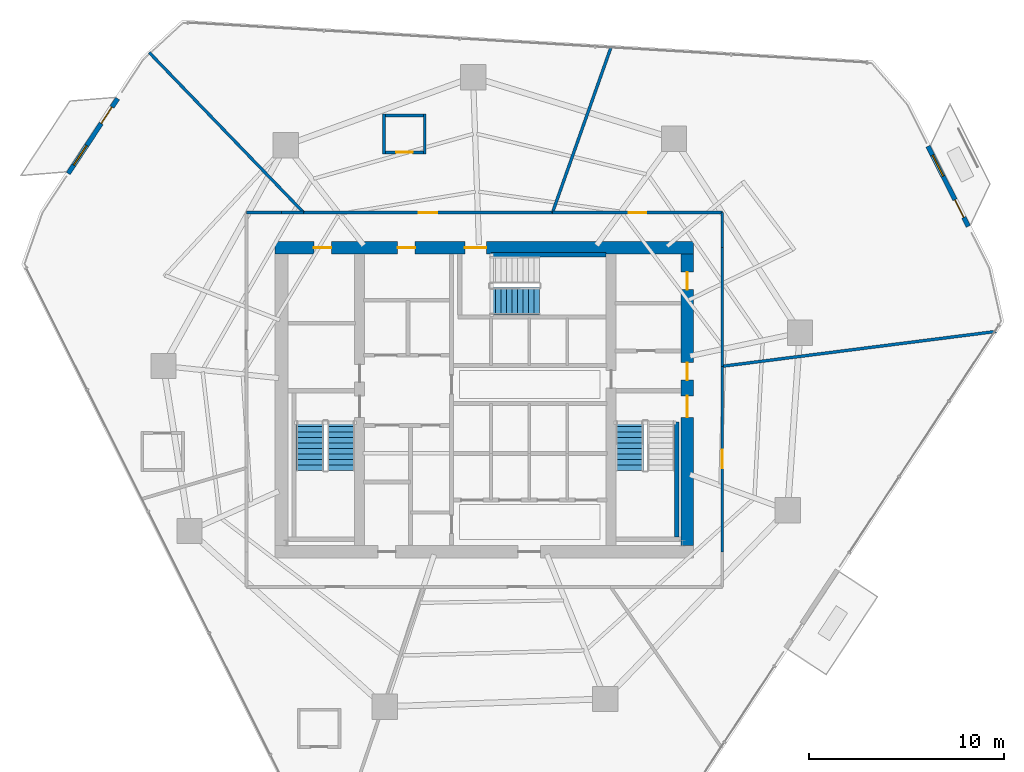
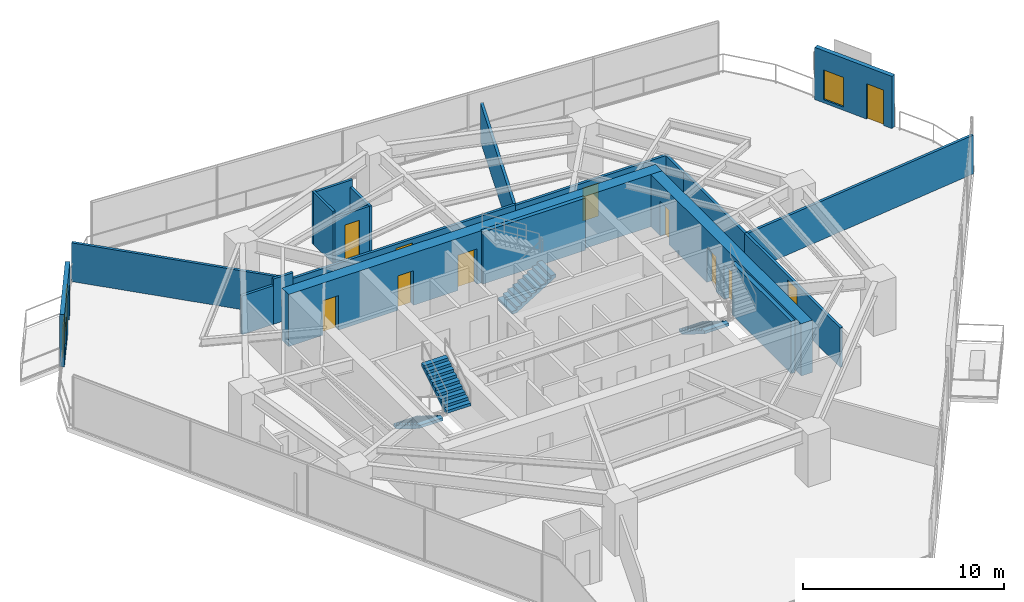
# One storey, part 25 of 28: 20 walls, 12 doors, 4 stair flights, 2 windows, 14 openings, 3 elements without a shape of their own.
"""IFC4 building model written with IfcOpenShell, lengths in metres."""

from ifc_helpers import new_model, si_unit, direction, frame, frame_2d, origin, place, context, subcontext, project, spatial, polyline, rectangle, outline, extrude, material, layer, layer_set, type_object, element, fill, aggregate, save


model = new_model("IFC4")

# Units and contexts
model_context = context("Model", 3, precision=1e-05, world=origin(), true_north=direction((0.0, 1.0)))
body_context = subcontext(model_context, "Body", "Model", "MODEL_VIEW")
ifc_project = project(units=[si_unit("LENGTHUNIT", "METRE"), si_unit("AREAUNIT", "SQUARE_METRE"), si_unit("VOLUMEUNIT", "CUBIC_METRE"), si_unit("PLANEANGLEUNIT", "RADIAN"), si_unit("MASSUNIT", "GRAM", prefix="KILO")], contexts=[model_context])

# Site, building, storey
site_placement = place(None, origin())
site = spatial("IfcSite", under=ifc_project, at=site_placement, CompositionType="ELEMENT")
building_placement = place(site_placement, origin())
building = spatial("IfcBuilding", under=site, at=building_placement, Name="Qarnah Convention Tower", CompositionType="ELEMENT")
storey_placement = place(building_placement, frame((0.0, 0.0, 54.60009765625)))
storey = spatial("IfcBuildingStorey", under=building, at=storey_placement, Name="L13", CompositionType="ELEMENT", Elevation=54.60009765625)

# Wall, openings, doors
ifc_material_1 = material(Name="Concrete C60/75", Category="concrete")
ifc_layer_1 = layer(ifc_material_1, 0.64990234375)
ifc_layer_set_1 = layer_set([ifc_layer_1], Name="Concrete C60/75")
wall_type_1 = type_object("IfcWallType", Name="WL-CORE-650", PredefinedType="SHEAR", material=ifc_layer_set_1)
wall_1_placement = place(storey_placement, frame((26.47509765625, 34.199951171875, 0.0), z_axis=(0.0, 0.0, 1.0), x_axis=(1.0, 0.0, 0.0)))
wall_1 = element("IfcWall", 1, at=wall_1_placement, inside=storey, type_object=wall_type_1, Name="L13 core north shear wall", PredefinedType="SHEAR", context=body_context, shape_type="SweptSolid", body=[
    extrude(rectangle(XDim=21.449951171875, YDim=0.64990234375, at=frame_2d((10.72509765625, 0.0))), origin(), (0.0, 0.0, 1.0), 3.169921875),
])
opening_1_placement = place(wall_1_placement, frame((9.72509765625, 0.0, 0.0)))
opening_1 = element("IfcOpeningElement", 2, at=opening_1_placement, cuts=wall_1, Name="Opening D-1303", PredefinedType="OPENING", context=body_context, shape_type="SweptSolid", body=[
    extrude(rectangle(XDim=1.10009765625, YDim=2.14990234375, at=frame_2d((0.550048828125, 1.074951171875))), frame((0.0, 0.3349609375, 0.0), z_axis=(0.0, -1.0, 0.0), x_axis=(1.0, 0.0, 0.0)), (0.0, 0.0, 1.0), 0.669921875),
])
opening_2_placement = place(wall_1_placement, frame((1.97509765625, 0.0, 0.0)))
opening_2 = element("IfcOpeningElement", 3, at=opening_2_placement, cuts=wall_1, Name="Opening D-1309", PredefinedType="OPENING", context=body_context, shape_type="SweptSolid", body=[
    extrude(rectangle(XDim=0.89990234375, YDim=2.10009765625, at=frame_2d((0.449951171875, 1.050048828125))), frame((0.0, 0.3349609375, 0.0), z_axis=(0.0, -1.0, 0.0), x_axis=(1.0, 0.0, 0.0)), (0.0, 0.0, 1.0), 0.669921875),
])
opening_3_placement = place(wall_1_placement, frame((6.27490234375, 0.0, 0.0)))
opening_3 = element("IfcOpeningElement", 4, at=opening_3_placement, cuts=wall_1, Name="Opening D-1310", PredefinedType="OPENING", context=body_context, shape_type="SweptSolid", body=[
    extrude(rectangle(XDim=0.89990234375, YDim=2.10009765625, at=frame_2d((0.449951171875, 1.050048828125))), frame((0.0, 0.3349609375, 0.0), z_axis=(0.0, -1.0, 0.0), x_axis=(1.0, 0.0, 0.0)), (0.0, 0.0, 1.0), 0.669921875),
])
ifc_material_2 = material(Name="Structural steel S355JR", Category="steel")
door_type_1 = type_object("IfcDoorType", Name="DT-RISER-900", OperationType="NOTDEFINED", PredefinedType="DOOR", material=ifc_material_2)
door_1_placement = place(opening_2_placement, origin())
door_1 = element("IfcDoor", 5, at=door_1_placement, inside=storey, type_object=door_type_1, Name="Door D-1309", OperationType="SINGLE_SWING_LEFT", OverallHeight=2.10009765625, OverallWidth=0.89990234375, PredefinedType="DOOR", context=body_context, shape_type="SweptSolid", body=[
    extrude(rectangle(XDim=0.89990234375, YDim=2.10009765625, at=frame_2d((0.449951171875, 1.050048828125))), frame((0.0, 0.02490234375, 0.0), z_axis=(0.0, -1.0, 0.0), x_axis=(1.0, 0.0, 0.0)), (0.0, 0.0, 1.0), 0.050048828125),
])
fill(opening_2, door_1)
door_2_placement = place(opening_3_placement, origin())
door_2 = element("IfcDoor", 6, at=door_2_placement, inside=storey, type_object=door_type_1, Name="Door D-1310", OperationType="SINGLE_SWING_RIGHT", OverallHeight=2.10009765625, OverallWidth=0.89990234375, PredefinedType="DOOR", context=body_context, shape_type="SweptSolid", body=[
    extrude(rectangle(XDim=0.89990234375, YDim=2.10009765625, at=frame_2d((0.449951171875, 1.050048828125))), frame((0.0, 0.02490234375, 0.0), z_axis=(0.0, -1.0, 0.0), x_axis=(1.0, 0.0, 0.0)), (0.0, 0.0, 1.0), 0.050048828125),
])
fill(opening_3, door_2)
door_type_2 = type_object("IfcDoorType", Name="DT-STAIR-1100", OperationType="NOTDEFINED", PredefinedType="DOOR", material=ifc_material_2)
door_3_placement = place(opening_1_placement, origin())
door_3 = element("IfcDoor", 7, at=door_3_placement, inside=storey, type_object=door_type_2, Name="Door D-1303", OperationType="SINGLE_SWING_LEFT", OverallHeight=2.14990234375, OverallWidth=1.10009765625, PredefinedType="DOOR", context=body_context, shape_type="SweptSolid", body=[
    extrude(rectangle(XDim=1.10009765625, YDim=2.14990234375, at=frame_2d((0.550048828125, 1.074951171875))), frame((0.0, 0.02490234375, 0.0), z_axis=(0.0, -1.0, 0.0), x_axis=(1.0, 0.0, 0.0)), (0.0, 0.0, 1.0), 0.050048828125),
])
fill(opening_1, door_3)

wall_2_placement = place(storey_placement, frame((47.60009765625, 18.925048828125, 0.0), z_axis=(0.0, 0.0, 1.0), x_axis=(0.0, 1.0, 0.0)))
wall_2 = element("IfcWall", 8, at=wall_2_placement, inside=storey, type_object=wall_type_1, Name="L13 core east shear wall", PredefinedType="SHEAR", context=body_context, shape_type="SweptSolid", body=[
    extrude(rectangle(XDim=14.949951171875, YDim=0.64990234375, at=frame_2d((7.47509765625, 0.0))), origin(), (0.0, 0.0, 1.0), 3.169921875),
])
opening_4_placement = place(wall_2_placement, frame((6.574951171875, 0.0, 0.0)))
opening_4 = element("IfcOpeningElement", 9, at=opening_4_placement, cuts=wall_2, Name="Opening D-1302", PredefinedType="OPENING", context=body_context, shape_type="SweptSolid", body=[
    extrude(rectangle(XDim=1.10009765625, YDim=2.14990234375, at=frame_2d((0.550048828125, 1.074951171875))), frame((0.0, 0.3349609375, 0.0), z_axis=(0.0, -1.0, 0.0), x_axis=(1.0, 0.0, 0.0)), (0.0, 0.0, 1.0), 0.669921875),
])
opening_5_placement = place(wall_2_placement, frame((8.47509765625, 0.0, 0.0)))
opening_5 = element("IfcOpeningElement", 10, at=opening_5_placement, cuts=wall_2, Name="Opening D-1306", PredefinedType="OPENING", context=body_context, shape_type="SweptSolid", body=[
    extrude(rectangle(XDim=0.89990234375, YDim=2.10009765625, at=frame_2d((0.449951171875, 1.050048828125))), frame((0.0, 0.3349609375, 0.0), z_axis=(0.0, -1.0, 0.0), x_axis=(1.0, 0.0, 0.0)), (0.0, 0.0, 1.0), 0.669921875),
])
opening_6_placement = place(wall_2_placement, frame((13.125, 0.0, 0.0)))
opening_6 = element("IfcOpeningElement", 11, at=opening_6_placement, cuts=wall_2, Name="Opening D-1312", PredefinedType="OPENING", context=body_context, shape_type="SweptSolid", body=[
    extrude(rectangle(XDim=0.89990234375, YDim=2.10009765625, at=frame_2d((0.449951171875, 1.050048828125))), frame((0.0, 0.3349609375, 0.0), z_axis=(0.0, -1.0, 0.0), x_axis=(1.0, 0.0, 0.0)), (0.0, 0.0, 1.0), 0.669921875),
])
door_4_placement = place(opening_5_placement, origin())
door_4 = element("IfcDoor", 12, at=door_4_placement, inside=storey, type_object=door_type_1, Name="Door D-1306", OperationType="SINGLE_SWING_RIGHT", OverallHeight=2.10009765625, OverallWidth=0.89990234375, PredefinedType="DOOR", context=body_context, shape_type="SweptSolid", body=[
    extrude(rectangle(XDim=0.89990234375, YDim=2.10009765625, at=frame_2d((0.449951171875, 1.050048828125))), frame((0.0, 0.02490234375, 0.0), z_axis=(0.0, -1.0, 0.0), x_axis=(1.0, 0.0, 0.0)), (0.0, 0.0, 1.0), 0.050048828125),
])
fill(opening_5, door_4)
door_5_placement = place(opening_6_placement, origin())
door_5 = element("IfcDoor", 13, at=door_5_placement, inside=storey, type_object=door_type_1, Name="Door D-1312", OperationType="SINGLE_SWING_RIGHT", OverallHeight=2.10009765625, OverallWidth=0.89990234375, PredefinedType="DOOR", context=body_context, shape_type="SweptSolid", body=[
    extrude(rectangle(XDim=0.89990234375, YDim=2.10009765625, at=frame_2d((0.449951171875, 1.050048828125))), frame((0.0, 0.02490234375, 0.0), z_axis=(0.0, -1.0, 0.0), x_axis=(1.0, 0.0, 0.0)), (0.0, 0.0, 1.0), 0.050048828125),
])
fill(opening_6, door_5)
door_6_placement = place(opening_4_placement, origin())
door_6 = element("IfcDoor", 14, at=door_6_placement, inside=storey, type_object=door_type_2, Name="Door D-1302", OperationType="SINGLE_SWING_RIGHT", OverallHeight=2.14990234375, OverallWidth=1.10009765625, PredefinedType="DOOR", context=body_context, shape_type="SweptSolid", body=[
    extrude(rectangle(XDim=1.10009765625, YDim=2.14990234375, at=frame_2d((0.550048828125, 1.074951171875))), frame((0.0, 0.02490234375, 0.0), z_axis=(0.0, -1.0, 0.0), x_axis=(1.0, 0.0, 0.0)), (0.0, 0.0, 1.0), 0.050048828125),
])
fill(opening_4, door_6)

# Walls
ifc_layer_2 = layer(ifc_material_1, 0.219970703125)
ifc_layer_set_2 = layer_set([ifc_layer_2], Name="Concrete C60/75")
wall_type_2 = type_object("IfcWallType", Name="WL-CORE-STAIR-220", PredefinedType="SHEAR", material=ifc_layer_set_2)
for number, where, z_axis, x_axis, name in (
    (15, (47.06005859375, 19.35009765625, 0.0), (0.0, 0.0, 1.0), (0.0, 1.0, 0.0), "L13 stair shaft shear wall SW-L13-ST2E"),
    (16, (37.550048828125, 33.840087890625, 0.0), (0.0, 0.0, 1.0), (1.0, 0.0, 0.0), "L13 stair shaft shear wall SW-L13-ST3N"),
):
    element("IfcWall", number, at=place(storey_placement, frame(where, z_axis=z_axis, x_axis=x_axis)), inside=storey, type_object=wall_type_2, Name=name, PredefinedType="SHEAR", context=body_context, shape_type="SweptSolid", body=[
        extrude(rectangle(XDim=5.89990234375, YDim=0.219970703125, at=frame_2d((2.949951171875, 0.0))), origin(), (0.0, 0.0, 1.0), 3.169921875),
    ])

# Wall, openings, door, window
ifc_material_3 = material(Name="Precast concrete C45/55", Category="concrete")
ifc_layer_3 = layer(ifc_material_3, 0.239990234375)
ifc_layer_set_3 = layer_set([ifc_layer_3], Name="Precast concrete C45/55")
wall_type_3 = type_object("IfcWallType", Name="WL-EXT-BAL-240", PredefinedType="SOLIDWALL", material=ifc_layer_set_3)
wall_3_placement = place(storey_placement, frame((59.952880859375, 39.403076171875, 0.0), z_axis=(0.0, 0.0, 1.0), x_axis=(0.448465528008, -0.89380012877, 0.0)))
wall_3 = element("IfcWall", 17, at=wall_3_placement, inside=storey, type_object=wall_type_3, Name="L13 loggia threshold wall BAL-L13-C1", PredefinedType="SOLIDWALL", context=body_context, shape_type="SweptSolid", body=[
    extrude(rectangle(XDim=4.6005859375, YDim=0.239990234375, at=frame_2d((2.30029296875, 0.0))), origin(), (0.0, 0.0, 1.0), 3.169921875),
])
opening_7_placement = place(wall_3_placement, frame((3.080078125, 0.0, 0.0)))
opening_7 = element("IfcOpeningElement", 18, at=opening_7_placement, cuts=wall_3, Name="Opening BD-1301", PredefinedType="OPENING", context=body_context, shape_type="SweptSolid", body=[
    extrude(rectangle(XDim=1.0, YDim=2.14990234375, at=frame_2d((0.5, 1.074951171875))), frame((0.0, 0.1298828125, 0.0), z_axis=(0.0, -1.0, 0.0), x_axis=(1.0, 0.0, 0.0)), (0.0, 0.0, 1.0), 0.260009765625),
])
opening_8_placement = place(wall_3_placement, frame((0.52001953125, 0.0, 0.199951171875)))
opening_8 = element("IfcOpeningElement", 19, at=opening_8_placement, cuts=wall_3, Name="Opening WN5", PredefinedType="OPENING", context=body_context, shape_type="SweptSolid", body=[
    extrude(rectangle(XDim=1.199951171875, YDim=1.800048828125, at=frame_2d((0.60009765625, 0.89990234375))), frame((0.0, 0.1298828125, 0.0), z_axis=(0.0, -1.0, 0.0), x_axis=(1.0, 0.0, 0.0)), (0.0, 0.0, 1.0), 0.260009765625),
])
ifc_material_4 = material(Name="Black anodised aluminium", Category="aluminium")
door_type_3 = type_object("IfcDoorType", Name="DT-BAL-1000", OperationType="NOTDEFINED", PredefinedType="DOOR", material=ifc_material_4)
door_7_placement = place(opening_7_placement, origin())
door_7 = element("IfcDoor", 20, at=door_7_placement, inside=storey, type_object=door_type_3, Name="L13 balcony terrace door BAL-L13-C1", OperationType="SINGLE_SWING_LEFT", OverallHeight=2.14990234375, OverallWidth=1.0, PredefinedType="DOOR", context=body_context, shape_type="SweptSolid", body=[
    extrude(rectangle(XDim=1.0, YDim=2.14990234375, at=frame_2d((0.5, 1.074951171875))), frame((0.0, 0.02490234375, 0.0), z_axis=(0.0, -1.0, 0.0), x_axis=(1.0, 0.0, 0.0)), (0.0, 0.0, 1.0), 0.050048828125),
])
fill(opening_7, door_7)
ifc_material_5 = material(Name="Tempered Low-E dark glass", Category="glass")
window_type = type_object("IfcWindowType", Name="WT-BAL-1200X1800", PartitioningType="SINGLE_PANEL", PredefinedType="WINDOW", material=ifc_material_5)
window_1_placement = place(opening_8_placement, origin())
window_1 = element("IfcWindow", 21, at=window_1_placement, inside=storey, type_object=window_type, Name="Window BW-BAL-L13-C1", OverallHeight=1.800048828125, OverallWidth=1.199951171875, PartitioningType="SINGLE_PANEL", PredefinedType="WINDOW", context=body_context, shape_type="SweptSolid", body=[
    extrude(rectangle(XDim=1.199951171875, YDim=1.800048828125, at=frame_2d((0.60009765625, 0.89990234375))), frame((0.0, 0.030029296875, 0.0), z_axis=(0.0, -1.0, 0.0), x_axis=(1.0, 0.0, 0.0)), (0.0, 0.0, 1.0), 0.06005859375),
])
fill(opening_8, window_1)

wall_4_placement = place(storey_placement, frame((15.85888671875, 38.0009765625, 0.0), z_axis=(0.0, 0.0, 1.0), x_axis=(0.549976123516, 0.83518037786, 0.0)))
wall_4 = element("IfcWall", 22, at=wall_4_placement, inside=storey, type_object=wall_type_3, Name="L13 loggia threshold wall BAL-L13-C2", PredefinedType="SOLIDWALL", context=body_context, shape_type="SweptSolid", body=[
    extrude(rectangle(XDim=4.600341796875, YDim=0.239990234375, at=frame_2d((2.30029296875, 0.0))), origin(), (0.0, 0.0, 1.0), 3.169921875),
])
opening_9_placement = place(wall_4_placement, frame((3.080078125, 0.0, 0.0)))
opening_9 = element("IfcOpeningElement", 23, at=opening_9_placement, cuts=wall_4, Name="Opening BD-1302", PredefinedType="OPENING", context=body_context, shape_type="SweptSolid", body=[
    extrude(rectangle(XDim=1.0, YDim=2.14990234375, at=frame_2d((0.5, 1.074951171875))), frame((0.0, 0.1298828125, 0.0), z_axis=(0.0, -1.0, 0.0), x_axis=(1.0, 0.0, 0.0)), (0.0, 0.0, 1.0), 0.260009765625),
])
opening_10_placement = place(wall_4_placement, frame((0.52001953125, 0.0, 0.199951171875)))
opening_10 = element("IfcOpeningElement", 24, at=opening_10_placement, cuts=wall_4, Name="Opening WN5", PredefinedType="OPENING", context=body_context, shape_type="SweptSolid", body=[
    extrude(rectangle(XDim=1.199951171875, YDim=1.800048828125, at=frame_2d((0.60009765625, 0.89990234375))), frame((0.0, 0.1298828125, 0.0), z_axis=(0.0, -1.0, 0.0), x_axis=(1.0, 0.0, 0.0)), (0.0, 0.0, 1.0), 0.260009765625),
])
door_8_placement = place(opening_9_placement, origin())
door_8 = element("IfcDoor", 25, at=door_8_placement, inside=storey, type_object=door_type_3, Name="L13 balcony terrace door BAL-L13-C2", OperationType="SINGLE_SWING_RIGHT", OverallHeight=2.14990234375, OverallWidth=1.0, PredefinedType="DOOR", context=body_context, shape_type="SweptSolid", body=[
    extrude(rectangle(XDim=1.0, YDim=2.14990234375, at=frame_2d((0.5, 1.074951171875))), frame((0.0, 0.02490234375, 0.0), z_axis=(0.0, -1.0, 0.0), x_axis=(1.0, 0.0, 0.0)), (0.0, 0.0, 1.0), 0.050048828125),
])
fill(opening_9, door_8)
window_2_placement = place(opening_10_placement, origin())
window_2 = element("IfcWindow", 26, at=window_2_placement, inside=storey, type_object=window_type, Name="Window BW-BAL-L13-C2", OverallHeight=1.800048828125, OverallWidth=1.199951171875, PartitioningType="SINGLE_PANEL", PredefinedType="WINDOW", context=body_context, shape_type="SweptSolid", body=[
    extrude(rectangle(XDim=1.199951171875, YDim=1.800048828125, at=frame_2d((0.60009765625, 0.89990234375))), frame((0.0, 0.030029296875, 0.0), z_axis=(0.0, -1.0, 0.0), x_axis=(1.0, 0.0, 0.0)), (0.0, 0.0, 1.0), 0.06005859375),
])
fill(opening_10, window_2)

# Wall
ifc_material_6 = material(Name="Gypsum partition board")
ifc_layer_4 = layer(ifc_material_6, 0.14990234375)
ifc_layer_set_4 = layer_set([ifc_layer_4], Name="Gypsum partition board")
wall_type_4 = type_object("IfcWallType", Name="WL-SUITE-150", PredefinedType="PARTITIONING", material=ifc_layer_set_4)
wall_5_placement = place(storey_placement, frame((43.705078125, 44.5048828125, 0.0), z_axis=(0.0, 0.0, 1.0), x_axis=(-0.333732929856, -0.942667667595, 0.0)))
element("IfcWall", 27, at=wall_5_placement, inside=storey, type_object=wall_type_4, Name="L13 interior wall IW-L13-R-13", PredefinedType="PARTITIONING", context=body_context, shape_type="SweptSolid", body=[
    extrude(rectangle(XDim=9.022216796875, YDim=0.14990234375, at=frame_2d((4.51123046875, 0.0))), origin(), (0.0, 0.0, 1.0), 2.35498046875),
])

# Wall, opening, door
wall_6_placement = place(storey_placement, frame((40.694091796875, 36.0, 0.0), z_axis=(0.0, 0.0, 1.0), x_axis=(1.0, 0.0, 0.0)))
wall_6 = element("IfcWall", 28, at=wall_6_placement, inside=storey, type_object=wall_type_4, Name="L13 interior wall IW-L13-R-14", PredefinedType="PARTITIONING", context=body_context, shape_type="SweptSolid", body=[
    extrude(rectangle(XDim=8.705810546875, YDim=0.14990234375, at=frame_2d((4.35302734375, 0.0))), origin(), (0.0, 0.0, 1.0), 2.35498046875),
])
opening_11_placement = place(wall_6_placement, frame((3.903076171875, 0.0, 0.0)))
opening_11 = element("IfcOpeningElement", 29, at=opening_11_placement, cuts=wall_6, Name="Opening D-1316", PredefinedType="OPENING", context=body_context, shape_type="SweptSolid", body=[
    extrude(rectangle(XDim=0.89990234375, YDim=2.0, at=frame_2d((0.449951171875, 1.0))), frame((0.0, 0.0849609375, 0.0), z_axis=(0.0, -1.0, 0.0), x_axis=(1.0, 0.0, 0.0)), (0.0, 0.0, 1.0), 0.169921875),
])
door_type_4 = type_object("IfcDoorType", Name="DT-PLANT-900", OperationType="NOTDEFINED", PredefinedType="DOOR", material=ifc_material_2)
door_9_placement = place(opening_11_placement, origin())
door_9 = element("IfcDoor", 30, at=door_9_placement, inside=storey, type_object=door_type_4, Name="Door D-1316", OperationType="SINGLE_SWING_RIGHT", OverallHeight=2.0, OverallWidth=0.89990234375, PredefinedType="DOOR", context=body_context, shape_type="SweptSolid", body=[
    extrude(rectangle(XDim=0.89990234375, YDim=2.0, at=frame_2d((0.449951171875, 1.0))), frame((0.0, 0.02490234375, 0.0), z_axis=(0.0, -1.0, 0.0), x_axis=(1.0, 0.0, 0.0)), (0.0, 0.0, 1.0), 0.050048828125),
])
fill(opening_11, door_9)

# Walls
wall_7_placement = place(storey_placement, frame((49.39990234375, 36.0, 0.0), z_axis=(0.0, 0.0, 1.0), x_axis=(0.0, -1.0, 0.0)))
element("IfcWall", 31, at=wall_7_placement, inside=storey, type_object=wall_type_4, Name="L13 interior wall IW-L13-R-15", PredefinedType="PARTITIONING", context=body_context, shape_type="SweptSolid", body=[
    extrude(rectangle(XDim=1.800048828125, YDim=0.14990234375, at=frame_2d((0.89990234375, 0.0))), origin(), (0.0, 0.0, 1.0), 2.35498046875),
])
wall_8_placement = place(storey_placement, frame((49.39990234375, 34.199951171875, 0.0), z_axis=(0.0, 0.0, 1.0), x_axis=(0.0, -1.0, 0.0)))
element("IfcWall", 32, at=wall_8_placement, inside=storey, type_object=wall_type_4, Name="L13 interior wall IW-L13-R-16", PredefinedType="PARTITIONING", context=body_context, shape_type="SweptSolid", body=[
    extrude(rectangle(XDim=6.0849609375, YDim=0.14990234375, at=frame_2d((3.04248046875, 0.0))), origin(), (0.0, 0.0, 1.0), 2.39501953125),
])
wall_9_placement = place(storey_placement, frame((49.39990234375, 28.114990234375, 0.0), z_axis=(0.0, 0.0, 1.0), x_axis=(0.992004152997, 0.126205231415, 0.0)))
element("IfcWall", 33, at=wall_9_placement, inside=storey, type_object=wall_type_4, Name="L13 interior wall IW-L13-R-17", PredefinedType="PARTITIONING", context=body_context, shape_type="SweptSolid", body=[
    extrude(rectangle(XDim=14.160400390625, YDim=0.14990234375, at=frame_2d((7.080078125, 0.0))), origin(), (0.0, 0.0, 1.0), 2.35498046875),
])
wall_10_placement = place(storey_placement, frame((20.011962890625, 44.20703125, 0.0), z_axis=(0.0, 0.0, 1.0), x_axis=(0.694275025098, -0.719709795352, 0.0)))
element("IfcWall", 34, at=wall_10_placement, inside=storey, type_object=wall_type_4, Name="L13 interior wall IW-L13-R-18", PredefinedType="PARTITIONING", context=body_context, shape_type="SweptSolid", body=[
    extrude(rectangle(XDim=11.4033203125, YDim=0.14990234375, at=frame_2d((5.70166015625, 0.0))), origin(), (0.0, 0.0, 1.0), 2.35498046875),
])

# Wall, opening, door
wall_11_placement = place(storey_placement, frame((27.928955078125, 36.0, 0.0), z_axis=(0.0, 0.0, 1.0), x_axis=(1.0, 0.0, 0.0)))
wall_11 = element("IfcWall", 35, at=wall_11_placement, inside=storey, type_object=wall_type_4, Name="L13 interior wall IW-L13-R-19", PredefinedType="PARTITIONING", context=body_context, shape_type="SweptSolid", body=[
    extrude(rectangle(XDim=12.76513671875, YDim=0.14990234375, at=frame_2d((6.382568359375, 0.0))), origin(), (0.0, 0.0, 1.0), 2.39501953125),
])
opening_12_placement = place(wall_11_placement, frame((5.907958984375, 0.0, 0.0)))
opening_12 = element("IfcOpeningElement", 36, at=opening_12_placement, cuts=wall_11, Name="Opening D-1317", PredefinedType="OPENING", context=body_context, shape_type="SweptSolid", body=[
    extrude(rectangle(XDim=0.949951171875, YDim=2.14990234375, at=frame_2d((0.47509765625, 1.074951171875))), frame((0.0, 0.0849609375, 0.0), z_axis=(0.0, -1.0, 0.0), x_axis=(1.0, 0.0, 0.0)), (0.0, 0.0, 1.0), 0.169921875),
])
ifc_material_7 = material(Name="Oak timber veneer", Category="wood")
door_type_5 = type_object("IfcDoorType", Name="DT-HOTEL-950", OperationType="NOTDEFINED", PredefinedType="DOOR", material=ifc_material_7)
door_10_placement = place(opening_12_placement, origin())
door_10 = element("IfcDoor", 37, at=door_10_placement, inside=storey, type_object=door_type_5, Name="Door D-1317", OperationType="SINGLE_SWING_LEFT", OverallHeight=2.14990234375, OverallWidth=0.949951171875, PredefinedType="DOOR", context=body_context, shape_type="SweptSolid", body=[
    extrude(rectangle(XDim=0.949951171875, YDim=2.14990234375, at=frame_2d((0.47509765625, 1.074951171875))), frame((0.0, 0.02490234375, 0.0), z_axis=(0.0, -1.0, 0.0), x_axis=(1.0, 0.0, 0.0)), (0.0, 0.0, 1.0), 0.050048828125),
])
fill(opening_12, door_10)

# Walls
wall_12_placement = place(storey_placement, frame((25.0, 36.0, 0.0), z_axis=(0.0, 0.0, 1.0), x_axis=(1.0, 0.0, 0.0)))
element("IfcWall", 38, at=wall_12_placement, inside=storey, type_object=wall_type_4, Name="L13 interior wall IW-L13-R-22", PredefinedType="PARTITIONING", context=body_context, shape_type="SweptSolid", body=[
    extrude(rectangle(XDim=1.800048828125, YDim=0.14990234375, at=frame_2d((0.89990234375, 0.0))), origin(), (0.0, 0.0, 1.0), 2.35498046875),
])
wall_13_placement = place(storey_placement, frame((26.800048828125, 36.0, 0.0), z_axis=(0.0, 0.0, 1.0), x_axis=(1.0, 0.0, 0.0)))
element("IfcWall", 39, at=wall_13_placement, inside=storey, type_object=wall_type_4, Name="L13 interior wall IW-L13-R-23", PredefinedType="PARTITIONING", context=body_context, shape_type="SweptSolid", body=[
    extrude(rectangle(XDim=1.12890625, YDim=0.14990234375, at=frame_2d((0.564453125, 0.0))), origin(), (0.0, 0.0, 1.0), 2.746826171875),
])

# Wall, opening, door
wall_14_placement = place(storey_placement, frame((49.39990234375, 28.114990234375, 0.0), z_axis=(0.0, 0.0, 1.0), x_axis=(0.0, -1.0, 0.0)))
wall_14 = element("IfcWall", 40, at=wall_14_placement, inside=storey, type_object=wall_type_4, Name="L13 interior wall IW-L13-R-30", PredefinedType="PARTITIONING", context=body_context, shape_type="SweptSolid", body=[
    extrude(rectangle(XDim=9.514892578125, YDim=0.14990234375, at=frame_2d((4.75732421875, 0.0))), origin(), (0.0, 0.0, 1.0), 2.39501953125),
])
opening_13_placement = place(wall_14_placement, frame((4.281982421875, 0.0, 0.0)))
opening_13 = element("IfcOpeningElement", 41, at=opening_13_placement, cuts=wall_14, Name="Opening D-1324", PredefinedType="OPENING", context=body_context, shape_type="SweptSolid", body=[
    extrude(rectangle(XDim=0.949951171875, YDim=2.14990234375, at=frame_2d((0.47509765625, 1.074951171875))), frame((0.0, 0.0849609375, 0.0), z_axis=(0.0, -1.0, 0.0), x_axis=(1.0, 0.0, 0.0)), (0.0, 0.0, 1.0), 0.169921875),
])
door_11_placement = place(opening_13_placement, origin())
door_11 = element("IfcDoor", 42, at=door_11_placement, inside=storey, type_object=door_type_5, Name="Door D-1324", OperationType="SINGLE_SWING_RIGHT", OverallHeight=2.14990234375, OverallWidth=0.949951171875, PredefinedType="DOOR", context=body_context, shape_type="SweptSolid", body=[
    extrude(rectangle(XDim=0.949951171875, YDim=2.14990234375, at=frame_2d((0.47509765625, 1.074951171875))), frame((0.0, 0.02490234375, 0.0), z_axis=(0.0, -1.0, 0.0), x_axis=(1.0, 0.0, 0.0)), (0.0, 0.0, 1.0), 0.050048828125),
])
fill(opening_13, door_11)

ifc_layer_5 = layer(ifc_material_6, 0.139892578125)
ifc_layer_set_5 = layer_set([ifc_layer_5], Name="Gypsum partition board")
wall_type_5 = type_object("IfcWallType", Name="WL-WET-140", PredefinedType="PARTITIONING", material=ifc_layer_set_5)
wall_15_placement = place(storey_placement, frame((31.97900390625, 39.080078125, 0.0), z_axis=(0.0, 0.0, 1.0), x_axis=(1.0, 0.0, 0.0)))
wall_15 = element("IfcWall", 43, at=wall_15_placement, inside=storey, type_object=wall_type_5, Name="L13 interior wall IW-L13-ENS01-1", PredefinedType="PARTITIONING", context=body_context, shape_type="SweptSolid", body=[
    extrude(rectangle(XDim=2.239990234375, YDim=0.139892578125, at=frame_2d((1.1201171875, 0.0))), origin(), (0.0, 0.0, 1.0), 2.746826171875),
])
opening_14_placement = place(wall_15_placement, frame((0.695068359375, 0.0, 0.0)))
opening_14 = element("IfcOpeningElement", 44, at=opening_14_placement, cuts=wall_15, Name="Opening D-1318", PredefinedType="OPENING", context=body_context, shape_type="SweptSolid", body=[
    extrude(rectangle(XDim=0.85009765625, YDim=2.10009765625, at=frame_2d((0.425048828125, 1.050048828125))), frame((0.0, 0.079833984375, 0.0), z_axis=(0.0, -1.0, 0.0), x_axis=(1.0, 0.0, 0.0)), (0.0, 0.0, 1.0), 0.159912109375),
])
door_type_6 = type_object("IfcDoorType", Name="DT-BATH-850", OperationType="NOTDEFINED", PredefinedType="DOOR", material=ifc_material_7)
door_12_placement = place(opening_14_placement, origin())
door_12 = element("IfcDoor", 45, at=door_12_placement, inside=storey, type_object=door_type_6, Name="Door D-1318", OperationType="SINGLE_SWING_RIGHT", OverallHeight=2.10009765625, OverallWidth=0.85009765625, PredefinedType="DOOR", context=body_context, shape_type="SweptSolid", body=[
    extrude(rectangle(XDim=0.85009765625, YDim=2.10009765625, at=frame_2d((0.425048828125, 1.050048828125))), frame((0.0, 0.02490234375, 0.0), z_axis=(0.0, -1.0, 0.0), x_axis=(1.0, 0.0, 0.0)), (0.0, 0.0, 1.0), 0.050048828125),
])
fill(opening_14, door_12)

# Walls
wall_16_placement = place(storey_placement, frame((34.14892578125, 39.010009765625, 0.0), z_axis=(0.0, 0.0, 1.0), x_axis=(0.0, 1.0, 0.0)))
element("IfcWall", 46, at=wall_16_placement, inside=storey, type_object=wall_type_5, Name="L13 interior wall IW-L13-ENS01-2", PredefinedType="PARTITIONING", context=body_context, shape_type="SweptSolid", body=[
    extrude(rectangle(XDim=2.0400390625, YDim=0.139892578125, at=frame_2d((1.02001953125, 0.0))), origin(), (0.0, 0.0, 1.0), 2.746826171875),
])
wall_17_placement = place(storey_placement, frame((34.218994140625, 40.97998046875, 0.0), z_axis=(0.0, 0.0, 1.0), x_axis=(-1.0, 0.0, 0.0)))
element("IfcWall", 47, at=wall_17_placement, inside=storey, type_object=wall_type_5, Name="L13 interior wall IW-L13-ENS01-3", PredefinedType="PARTITIONING", context=body_context, shape_type="SweptSolid", body=[
    extrude(rectangle(XDim=2.239990234375, YDim=0.139892578125, at=frame_2d((1.1201171875, 0.0))), origin(), (0.0, 0.0, 1.0), 3.169921875),
])
wall_18_placement = place(storey_placement, frame((32.049072265625, 41.050048828125, 0.0), z_axis=(0.0, 0.0, 1.0), x_axis=(0.0, -1.0, 0.0)))
element("IfcWall", 48, at=wall_18_placement, inside=storey, type_object=wall_type_5, Name="L13 interior wall IW-L13-ENS01-4", PredefinedType="PARTITIONING", context=body_context, shape_type="SweptSolid", body=[
    extrude(rectangle(XDim=2.0400390625, YDim=0.139892578125, at=frame_2d((1.02001953125, 0.0))), origin(), (0.0, 0.0, 1.0), 3.169921875),
])

# Stair, stair flights
ifc_material_8 = material(Name="Concrete C50/60", Category="concrete")
stair_type = type_object("IfcStairType", Name="STR-HTL", PredefinedType="HALF_TURN_STAIR", material=ifc_material_8)
stair_1_placement = place(storey_placement, origin())
stair_1 = element("IfcStair", 49, at=stair_1_placement, inside=storey, type_object=stair_type, Name="L13 Core exit stair ST-1", PredefinedType="HALF_TURN_STAIR")
stair_flight_type = type_object("IfcStairFlightType", Name="FLT-HTL", PredefinedType="STRAIGHT", material=ifc_material_8)
stair_flight_1_placement = place(storey_placement, frame((28.25, 25.300048828125, 0.0), z_axis=(0.0, 0.0, 1.0), x_axis=(0.0, -1.0, 0.0)))
stair_flight_1 = element("IfcStairFlight", 50, at=stair_flight_1_placement, type_object=stair_flight_type, Name="ST-1 flight 1", NumberOfRisers=10, NumberOfTreads=9, PredefinedType="STRAIGHT", RiserHeight=0.1725, TreadLength=0.28, context=body_context, shape_type="SweptSolid", body=[
    extrude(outline(polyline([(0.0, 0.0), (0.0, 0.172607421875), (0.280029296875, 0.172607421875), (0.280029296875, 0.344970703125), (0.56005859375, 0.344970703125), (0.56005859375, 0.517578125), (0.840087890625, 0.517578125), (0.840087890625, 0.68994140625), (1.1201171875, 0.68994140625), (1.1201171875, 0.862548828125), (1.39990234375, 0.862548828125), (1.39990234375, 1.034912109375), (1.679931640625, 1.034912109375), (1.679931640625, 1.20751953125), (1.9599609375, 1.20751953125), (1.9599609375, 1.3798828125), (2.239990234375, 1.3798828125), (2.239990234375, 1.552490234375), (2.52001953125, 1.552490234375), (2.52001953125, 1.72509765625), (2.52001953125, 1.37646484375), (0.285888671875, 0.0), (0.0, 0.0)])), frame((0.0, 0.699951171875, 0.0), z_axis=(0.0, -1.0, 0.0), x_axis=(1.0, 0.0, 0.0)), (0.0, 0.0, 1.0), 1.39990234375),
])
stair_flight_2_placement = place(storey_placement, frame((29.85009765625, 22.780029296875, 1.724853515625), z_axis=(0.0, 0.0, 1.0), x_axis=(0.0, 1.0, 0.0)))
stair_flight_2 = element("IfcStairFlight", 51, at=stair_flight_2_placement, type_object=stair_flight_type, Name="ST-1 flight 2", NumberOfRisers=10, NumberOfTreads=9, PredefinedType="STRAIGHT", RiserHeight=0.1725, TreadLength=0.28, context=body_context, shape_type="SweptSolid", body=[
    extrude(outline(polyline([(0.0, 0.0), (0.0, 0.172607421875), (0.280029296875, 0.172607421875), (0.280029296875, 0.344970703125), (0.56005859375, 0.344970703125), (0.56005859375, 0.517578125), (0.840087890625, 0.517578125), (0.840087890625, 0.68994140625), (1.1201171875, 0.68994140625), (1.1201171875, 0.862548828125), (1.39990234375, 0.862548828125), (1.39990234375, 1.034912109375), (1.679931640625, 1.034912109375), (1.679931640625, 1.20751953125), (1.9599609375, 1.20751953125), (1.9599609375, 1.3798828125), (2.239990234375, 1.3798828125), (2.239990234375, 1.552490234375), (2.52001953125, 1.552490234375), (2.52001953125, 1.72509765625), (2.52001953125, 1.37646484375), (0.285888671875, 0.0), (0.0, 0.0)])), frame((0.0, 0.699951171875, 0.0), z_axis=(0.0, -1.0, 0.0), x_axis=(1.0, 0.0, 0.0)), (0.0, 0.0, 1.0), 1.39990234375),
])
aggregate(stair_1, [stair_flight_1, stair_flight_2])

# Stair, stair flight
stair_2_placement = place(storey_placement, origin())
stair_2 = element("IfcStair", 52, at=stair_2_placement, inside=storey, type_object=stair_type, Name="L13 Core exit stair ST-2", PredefinedType="HALF_TURN_STAIR")
stair_flight_3_placement = place(storey_placement, frame((44.64990234375, 25.300048828125, 0.0), z_axis=(0.0, 0.0, 1.0), x_axis=(0.0, -1.0, 0.0)))
stair_flight_3 = element("IfcStairFlight", 53, at=stair_flight_3_placement, type_object=stair_flight_type, Name="ST-2 flight 1", NumberOfRisers=10, NumberOfTreads=9, PredefinedType="STRAIGHT", RiserHeight=0.1725, TreadLength=0.28, context=body_context, shape_type="SweptSolid", body=[
    extrude(outline(polyline([(0.0, 0.0), (0.0, 0.172607421875), (0.280029296875, 0.172607421875), (0.280029296875, 0.344970703125), (0.56005859375, 0.344970703125), (0.56005859375, 0.517578125), (0.840087890625, 0.517578125), (0.840087890625, 0.68994140625), (1.1201171875, 0.68994140625), (1.1201171875, 0.862548828125), (1.39990234375, 0.862548828125), (1.39990234375, 1.034912109375), (1.679931640625, 1.034912109375), (1.679931640625, 1.20751953125), (1.9599609375, 1.20751953125), (1.9599609375, 1.3798828125), (2.239990234375, 1.3798828125), (2.239990234375, 1.552490234375), (2.52001953125, 1.552490234375), (2.52001953125, 1.72509765625), (2.52001953125, 1.37646484375), (0.285888671875, 0.0), (0.0, 0.0)])), frame((0.0, 0.699951171875, 0.0), z_axis=(0.0, -1.0, 0.0), x_axis=(1.0, 0.0, 0.0)), (0.0, 0.0, 1.0), 1.39990234375),
])
aggregate(stair_2, [stair_flight_3])

stair_3_placement = place(storey_placement, origin())
stair_3 = element("IfcStair", 54, at=stair_3_placement, inside=storey, type_object=stair_type, Name="L13 Core exit stair ST-3", PredefinedType="HALF_TURN_STAIR")
stair_flight_4_placement = place(storey_placement, frame((37.5, 31.449951171875, 0.0), z_axis=(0.0, 0.0, 1.0), x_axis=(1.0, 0.0, 0.0)))
stair_flight_4 = element("IfcStairFlight", 55, at=stair_flight_4_placement, type_object=stair_flight_type, Name="ST-3 flight 1", NumberOfRisers=10, NumberOfTreads=9, PredefinedType="STRAIGHT", RiserHeight=0.1725, TreadLength=0.28, context=body_context, shape_type="SweptSolid", body=[
    extrude(outline(polyline([(0.0, 0.0), (0.0, 0.172607421875), (0.280029296875, 0.172607421875), (0.280029296875, 0.344970703125), (0.56005859375, 0.344970703125), (0.56005859375, 0.517578125), (0.840087890625, 0.517578125), (0.840087890625, 0.68994140625), (1.1201171875, 0.68994140625), (1.1201171875, 0.862548828125), (1.39990234375, 0.862548828125), (1.39990234375, 1.034912109375), (1.679931640625, 1.034912109375), (1.679931640625, 1.20751953125), (1.9599609375, 1.20751953125), (1.9599609375, 1.3798828125), (2.239990234375, 1.3798828125), (2.239990234375, 1.552490234375), (2.52001953125, 1.552490234375), (2.52001953125, 1.72509765625), (2.52001953125, 1.37646484375), (0.285888671875, 0.0), (0.0, 0.0)])), frame((0.0, 0.699951171875, 0.0), z_axis=(0.0, -1.0, 0.0), x_axis=(1.0, 0.0, 0.0)), (0.0, 0.0, 1.0), 1.39990234375),
])
aggregate(stair_3, [stair_flight_4])

save(model, "model.ifc")
